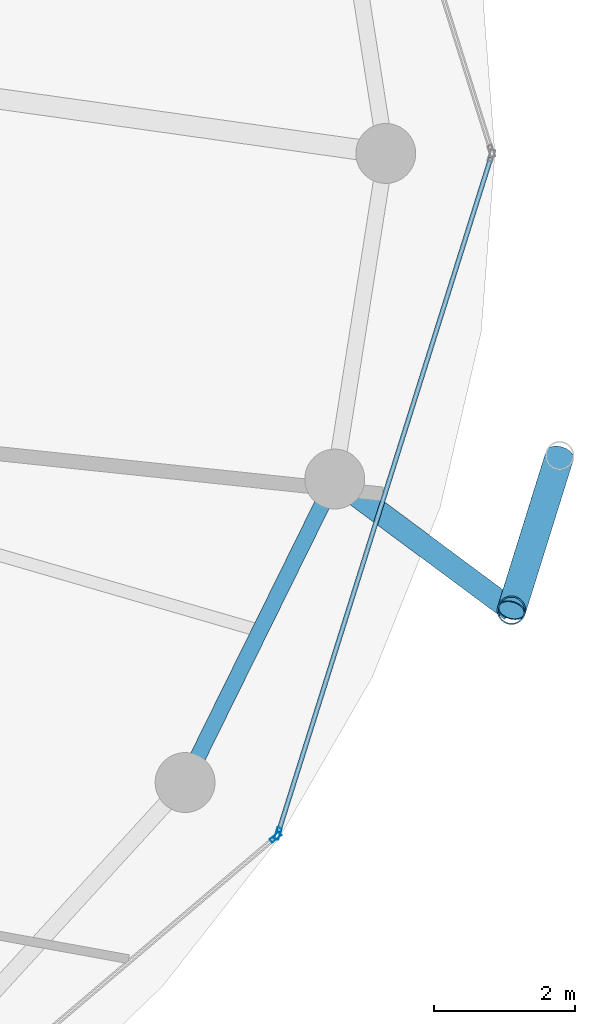
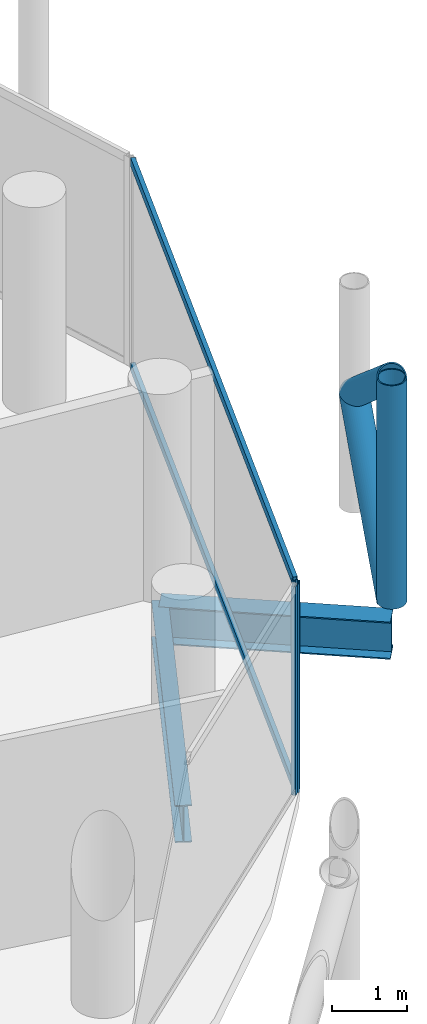
# One storey, part 13 of 27: 7 members, 2 beams, 2 elements without a shape of their own.
"""IFC4 building model written with IfcOpenShell, lengths in metres."""

from ifc_helpers import new_model, si_unit, direction, frame, origin, origin_2d, place, context, subcontext, project, spatial, hollow_rectangle, hollow_circle, i_section, extrude, material, layer, layer_set, material_profile, profile_set, type_object, element, aggregate, save


model = new_model("IFC4")

# Units and contexts
model_context = context("Model", 3, precision=1e-05, world=origin(), true_north=direction((0.0, 1.0)))
body_context = subcontext(model_context, "Body", "Model", "MODEL_VIEW")
ifc_project = project(units=[si_unit("LENGTHUNIT", "METRE"), si_unit("AREAUNIT", "SQUARE_METRE"), si_unit("VOLUMEUNIT", "CUBIC_METRE"), si_unit("PLANEANGLEUNIT", "RADIAN"), si_unit("MASSUNIT", "GRAM", prefix="KILO")], contexts=[model_context])

# Site, building, storey
site_placement = place(None, origin())
site = spatial("IfcSite", under=ifc_project, at=site_placement, CompositionType="ELEMENT")
building_placement = place(site_placement, origin())
building = spatial("IfcBuilding", under=site, at=building_placement, Name="Nuhasar Tower", CompositionType="ELEMENT")
storey_placement = place(building_placement, frame((0.0, 0.0, 248.300048828125)))
storey = spatial("IfcBuildingStorey", under=building, at=storey_placement, Name="L61", CompositionType="ELEMENT", Elevation=248.300048828125)

# Beams
ifc_material_1 = material(Name="Steel S355", Category="steel")
ifc_material_profile_1 = material_profile(ifc_material_1, i_section(OverallWidth=0.22802734375, OverallDepth=0.60791015625, WebThickness=0.01123046875, FlangeThickness=0.017333984375, at=origin_2d()), Name="W24X76")
ifc_profile_set_1 = profile_set([ifc_material_profile_1], Name="Steel S355")
beam_type_1 = type_object("IfcBeamType", Name="BM-RING-W24X76", PredefinedType="SPANDREL", material=ifc_profile_set_1)
beam_1_placement = place(storey_placement, frame((57.403076171875, 17.875, -0.5439453125), z_axis=(0.442262779282, 0.896885518928, 0.0), x_axis=(-0.896885518928, 0.442262779282, 0.0)))
element("IfcBeam", 1, at=beam_1_placement, inside=storey, type_object=beam_type_1, Name="L61 Perimeter Ring Spandrel 23", PredefinedType="SPANDREL", context=body_context, shape_type="SweptSolid", body=[
    extrude(i_section(OverallWidth=0.22802734375, OverallDepth=0.60791015625, WebThickness=0.01123046875, FlangeThickness=0.017333984375, at=origin_2d()), origin(), (0.0, 0.0, 1.0), 4.7998046875),
])
ifc_material_profile_2 = material_profile(ifc_material_1, i_section(OverallWidth=0.323974609375, OverallDepth=0.611083984375, WebThickness=0.0126953125, FlangeThickness=0.01904296875, at=origin_2d()), Name="W24X104")
ifc_profile_set_2 = profile_set([ifc_material_profile_2], Name="Steel S355")
beam_type_2 = type_object("IfcBeamType", Name="BM-TIE-W24X104", PredefinedType="BEAM", material=ifc_profile_set_2)
beam_2_placement = place(storey_placement, frame((59.52587890625, 22.179931640625, -0.545166015625), z_axis=(0.802983345014, -0.596001466131, 0.0), x_axis=(0.596001466131, 0.802983345014, 0.0)))
element("IfcBeam", 2, at=beam_2_placement, inside=storey, type_object=beam_type_2, Name="L61 Exoskeleton Node Tie Beam 12", PredefinedType="BEAM", context=body_context, shape_type="SweptSolid", body=[
    extrude(i_section(OverallWidth=0.323974609375, OverallDepth=0.611083984375, WebThickness=0.0126953125, FlangeThickness=0.01904296875, at=origin_2d()), origin(), (0.0, 0.0, 1.0), 3.122314453125),
])

# Curtain wall, member
ifc_material_2 = material(Name="Aluminium 6063-T6", Category="aluminium")
ifc_layer = layer(ifc_material_2, 0.18994140625)
ifc_layer_set = layer_set([ifc_layer], Name="Aluminium 6063-T6")
curtain_wall_type = type_object("IfcCurtainWallType", Name="CW-Z3-RES", PredefinedType="NOTDEFINED", material=ifc_layer_set)
curtain_wall_1_placement = place(storey_placement, origin())
curtain_wall_1 = element("IfcCurtainWall", 3, at=curtain_wall_1_placement, inside=storey, type_object=curtain_wall_type, Name="L61 Unitised Curtain Wall 11", PredefinedType="NOTDEFINED")
ifc_material_profile_3 = material_profile(ifc_material_2, hollow_rectangle(XDim=0.06494140625, YDim=0.169921875, WallThickness=0.0048828125, at=origin_2d()), Name="CWM-4")
ifc_profile_set_3 = profile_set([ifc_material_profile_3], Name="Aluminium 6063-T6")
member_type_1 = type_object("IfcMemberType", Name="CW-MUL-S4", PredefinedType="MULLION", material=ifc_profile_set_3)
member_1_placement = place(storey_placement, frame((58.686279296875, 17.098876953125, 0.0), z_axis=(0.0, 0.0, 1.0), x_axis=(-0.64789521578, 0.761729472562, 0.0)))
member_1 = element("IfcMember", 4, at=member_1_placement, type_object=member_type_1, Name="CW-Z3 mullion 2", PredefinedType="MULLION", context=body_context, shape_type="SweptSolid", body=[
    extrude(hollow_rectangle(XDim=0.06494140625, YDim=0.169921875, WallThickness=0.0048828125, at=origin_2d()), origin(), (0.0, 0.0, 1.0), 3.409912109375),
])
aggregate(curtain_wall_1, [member_1])

# Curtain wall, members
curtain_wall_2_placement = place(storey_placement, origin())
curtain_wall_2 = element("IfcCurtainWall", 5, at=curtain_wall_2_placement, inside=storey, type_object=curtain_wall_type, Name="L61 Unitised Curtain Wall 12", PredefinedType="NOTDEFINED")
member_2_placement = place(storey_placement, frame((58.720703125, 17.15087890625, 0.0), z_axis=(0.0, 0.0, 1.0), x_axis=(-0.95380429279, 0.30042864553, 0.0)))
member_2 = element("IfcMember", 6, at=member_2_placement, type_object=member_type_1, Name="CW-Z3 mullion 1", PredefinedType="MULLION", context=body_context, shape_type="SweptSolid", body=[
    extrude(hollow_rectangle(XDim=0.06494140625, YDim=0.169921875, WallThickness=0.0048828125, at=origin_2d()), origin(), (0.0, 0.0, 1.0), 3.409912109375),
])
ifc_material_profile_4 = material_profile(ifc_material_2, hollow_rectangle(XDim=0.06494140625, YDim=0.139892578125, WallThickness=0.00439453125, at=origin_2d()), Name="CWT-4")
ifc_profile_set_4 = profile_set([ifc_material_profile_4], Name="Aluminium 6063-T6")
member_type_2 = type_object("IfcMemberType", Name="CW-TRN-S4", PredefinedType="USERDEFINED", material=ifc_profile_set_4)
member_3_placement = place(storey_placement, frame((58.73046875, 17.181884765625, 0.032470703125), z_axis=(0.300430390604, 0.953803743126, 0.0), x_axis=(-0.953803743126, 0.300430390604, 0.0)))
member_3 = element("IfcMember", 7, at=member_3_placement, type_object=member_type_2, Name="CW-Z3 transom 1.1", ObjectType="TRANSOM", PredefinedType="USERDEFINED", context=body_context, shape_type="SweptSolid", body=[
    extrude(hollow_rectangle(XDim=0.06494140625, YDim=0.139892578125, WallThickness=0.00439453125, at=origin_2d()), origin(), (0.0, 0.0, 1.0), 10.01904296875),
])
member_4_placement = place(storey_placement, frame((58.73046875, 17.181884765625, 3.37744140625), z_axis=(0.300430390604, 0.953803743126, 0.0), x_axis=(-0.953803743126, 0.300430390604, 0.0)))
member_4 = element("IfcMember", 8, at=member_4_placement, type_object=member_type_2, Name="CW-Z3 transom 1.2", ObjectType="TRANSOM", PredefinedType="USERDEFINED", context=body_context, shape_type="SweptSolid", body=[
    extrude(hollow_rectangle(XDim=0.06494140625, YDim=0.139892578125, WallThickness=0.00439453125, at=origin_2d()), origin(), (0.0, 0.0, 1.0), 10.01904296875),
])
aggregate(curtain_wall_2, [member_2, member_3, member_4])

# Members
ifc_material_3 = material(Name="Steel S460", Category="steel")
ifc_material_profile_5 = material_profile(ifc_material_3, hollow_circle(Radius=0.203125, WallThickness=0.01904296875, at=origin_2d()), Name="HSS406.4X19.1")
ifc_profile_set_5 = profile_set([ifc_material_profile_5], Name="Steel S460")
member_type_3 = type_object("IfcMemberType", Name="EXO-BRONZE-406", PredefinedType="BRACE", material=ifc_profile_set_5)
member_5_placement = place(storey_placement, frame((62.032958984375, 20.319091796875, 0.0), z_axis=(0.0, 0.0, 1.0), x_axis=(1.0, 0.0, 0.0)))
element("IfcMember", 9, at=member_5_placement, inside=storey, type_object=member_type_3, Name="L61 Exoskeleton Chord Column EC-12A", PredefinedType="BRACE", context=body_context, shape_type="SweptSolid", body=[
    extrude(hollow_circle(Radius=0.203125, WallThickness=0.01904296875, at=origin_2d()), origin(), (0.0, 0.0, 1.0), 3.64990234375),
])
for number, where, z_axis, x_axis, name in (
    (10, (62.032958984375, 20.319091796875, 0.0), (0.233372423355, 0.747689980743, 0.621688832709), (-0.954581948223, 0.297948492404, 0.0), "L61 Bronze Diagrid Brace W1-12"),
    (11, (62.718017578125, 22.513916015625, 1.824951171875), (-0.233372423355, -0.747689980743, 0.621688832709), (0.954581948223, -0.297948492404, 0.0), "L61 Bronze Diagrid Brace W2-12"),
):
    element("IfcMember", number, at=place(storey_placement, frame(where, z_axis=z_axis, x_axis=x_axis)), inside=storey, type_object=member_type_3, Name=name, PredefinedType="BRACE", context=body_context, shape_type="SweptSolid", body=[
        extrude(hollow_circle(Radius=0.203125, WallThickness=0.01904296875, at=origin_2d()), origin(), (0.0, 0.0, 1.0), 2.935546875),
    ])

save(model, "model.ifc")
